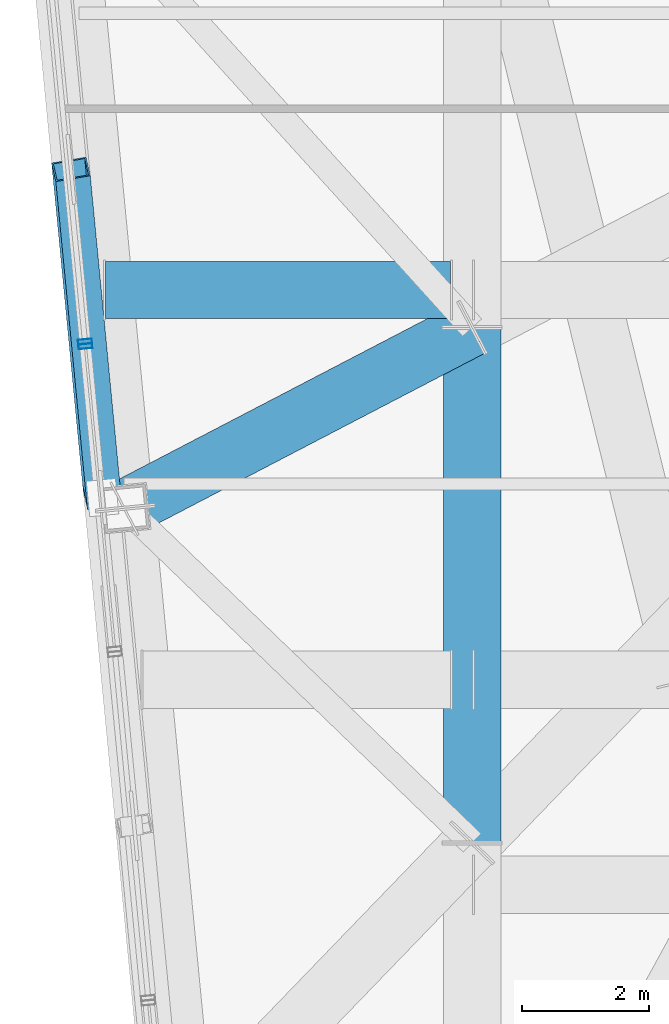
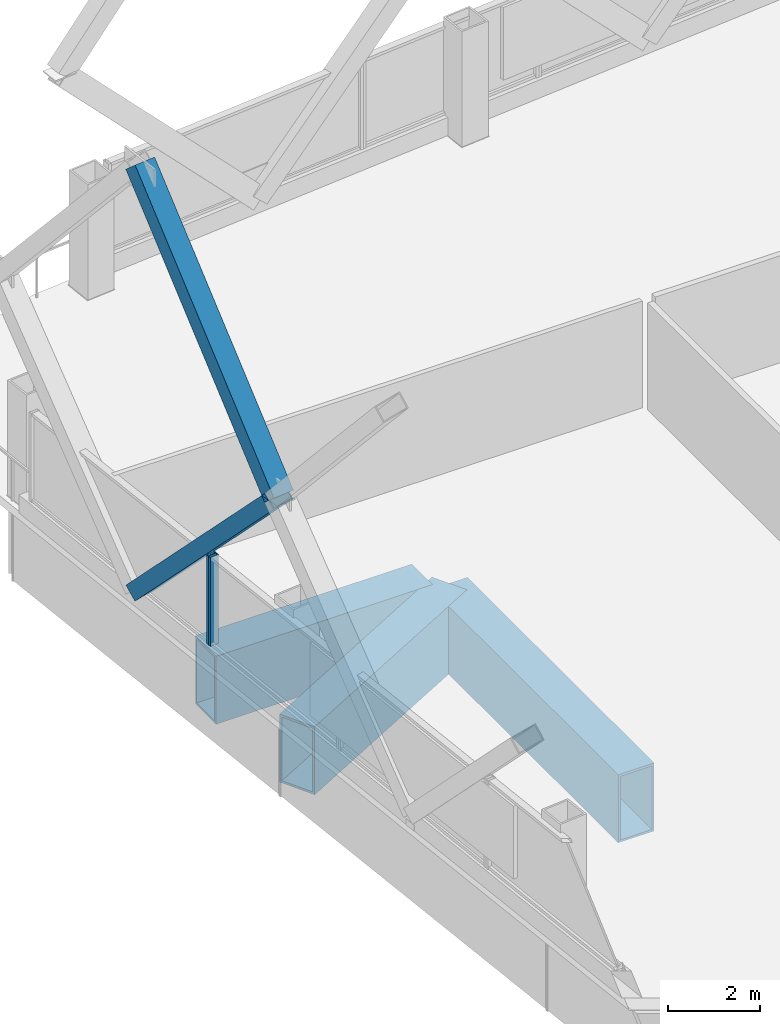
# One storey, part 12 of 37: 4 members, 3 beams, 2 elements without a shape of their own.
"""IFC4 building model written with IfcOpenShell, lengths in metres."""

from ifc_helpers import new_model, si_unit, direction, frame, origin, origin_2d, place, context, subcontext, project, spatial, hollow_rectangle, extrude, material, layer, layer_set, material_profile, profile_set, type_object, element, aggregate, save


model = new_model("IFC4")

# Units and contexts
model_context = context("Model", 3, precision=1e-05, world=origin(), true_north=direction((0.0, 1.0)))
body_context = subcontext(model_context, "Body", "Model", "MODEL_VIEW")
ifc_project = project(units=[si_unit("LENGTHUNIT", "METRE"), si_unit("AREAUNIT", "SQUARE_METRE"), si_unit("VOLUMEUNIT", "CUBIC_METRE"), si_unit("PLANEANGLEUNIT", "RADIAN"), si_unit("MASSUNIT", "GRAM", prefix="KILO")], contexts=[model_context])

# Site, building, storey
site_placement = place(None, origin())
site = spatial("IfcSite", under=ifc_project, at=site_placement, CompositionType="ELEMENT")
building_placement = place(site_placement, origin())
building = spatial("IfcBuilding", under=site, at=building_placement, Name="Qhalaya Broadcast Tower", CompositionType="ELEMENT")
storey_placement = place(building_placement, frame((0.0, 0.0, 156.14990234375)))
storey = spatial("IfcBuildingStorey", under=building, at=storey_placement, Name="L45", CompositionType="ELEMENT", Elevation=156.14990234375)

# Beams
ifc_material_1 = material(Name="Structural Steel ASTM A572 Grade 50", Category="steel")
ifc_material_profile_1 = material_profile(ifc_material_1, hollow_rectangle(XDim=0.89990234375, YDim=1.800048828125, WallThickness=0.06005859375, at=origin_2d()), Name="BOX 900x1800x60")
ifc_profile_set_1 = profile_set([ifc_material_profile_1], Name="Structural Steel ASTM A572 Grade 50")
beam_type = type_object("IfcBeamType", Name="Block Cantilever Transfer Box Girder TG1", PredefinedType="USERDEFINED", material=ifc_profile_set_1)
beam_1_placement = place(storey_placement, frame((-19.1201171875, 9.360107421875, -1.119873046875), z_axis=(0.0, -1.0, 0.0), x_axis=(1.0, 0.0, 0.0)))
element("IfcBeam", 1, at=beam_1_placement, inside=storey, type_object=beam_type, Name="L45 TG1 L45-TGL-14", ObjectType="GIRDER", PredefinedType="USERDEFINED", context=body_context, shape_type="SweptSolid", body=[
    extrude(hollow_rectangle(XDim=0.89990234375, YDim=1.800048828125, WallThickness=0.06005859375, at=origin_2d()), origin(), (0.0, 0.0, 1.0), 8.10009765625),
])
beam_2_placement = place(storey_placement, frame((-19.1201171875, 9.360107421875, -1.119873046875), z_axis=(-0.88697543329, -0.461816609425, 0.0), x_axis=(0.461816609425, -0.88697543329, 0.0)))
element("IfcBeam", 2, at=beam_2_placement, inside=storey, type_object=beam_type, Name="L45 Cantilever Transfer Box Girder 14", ObjectType="GIRDER", PredefinedType="USERDEFINED", context=body_context, shape_type="SweptSolid", body=[
    extrude(hollow_rectangle(XDim=0.89990234375, YDim=1.800048828125, WallThickness=0.06005859375, at=origin_2d()), origin(), (0.0, 0.0, 1.0), 6.147216796875),
])
beam_3_placement = place(storey_placement, frame((-24.882568359375, 9.949951171875, -1.119873046875), z_axis=(1.0, 0.0, 0.0), x_axis=(0.0, 1.0, 0.0)))
element("IfcBeam", 3, at=beam_3_placement, inside=storey, type_object=beam_type, Name="L45 TG1 L45-PGYW4-OV1", ObjectType="GIRDER", PredefinedType="USERDEFINED", context=body_context, shape_type="SweptSolid", body=[
    extrude(hollow_rectangle(XDim=0.89990234375, YDim=1.800048828125, WallThickness=0.06005859375, at=origin_2d()), origin(), (0.0, 0.0, 1.0), 5.422607421875),
])

# Members
ifc_material_profile_2 = material_profile(ifc_material_1, hollow_rectangle(XDim=0.39990234375, YDim=0.550048828125, WallThickness=0.02490234375, at=origin_2d()), Name="BOX 400x550x25")
ifc_profile_set_2 = profile_set([ifc_material_profile_2], Name="Structural Steel ASTM A572 Grade 50")
member_type_1 = type_object("IfcMemberType", Name="Exoskeleton Diamond Diagonal Mid-High EX3", PredefinedType="BRACE", material=ifc_profile_set_2)
member_1_placement = place(storey_placement, frame((-25.427001953125, 11.84716796875, 0.360107421875), z_axis=(0.066504325889, -0.690631901239, 0.720142174594), x_axis=(-0.164113379892, 0.704339295697, 0.690632286443)))
element("IfcMember", 4, at=member_1_placement, inside=storey, type_object=member_type_1, Name="B4 Exoskeleton Diamond Brace W1-D2", PredefinedType="BRACE", context=body_context, shape_type="SweptSolid", body=[
    extrude(hollow_rectangle(XDim=0.39990234375, YDim=0.550048828125, WallThickness=0.02490234375, at=origin_2d()), origin(), (0.0, 0.0, 1.0), 7.470703125),
])
member_2_placement = place(storey_placement, frame((-24.93017578125, 6.687744140625, 5.739990234375), z_axis=(-0.06350423358, 0.659476642868, 0.749037896123), x_axis=(0.166870327526, -0.732969553362, 0.659477010695)))
element("IfcMember", 5, at=member_2_placement, inside=storey, type_object=member_type_1, Name="B4 Exoskeleton Diamond Brace W1-D4", PredefinedType="BRACE", context=body_context, shape_type="SweptSolid", body=[
    extrude(hollow_rectangle(XDim=0.39990234375, YDim=0.550048828125, WallThickness=0.02490234375, at=origin_2d()), origin(), (0.0, 0.0, 1.0), 7.823486328125),
])

# Curtain wall, member
ifc_material_2 = material(Name="Fired Architectural Terracotta", Category="masonry")
ifc_layer_1 = layer(ifc_material_2, 0.219970703125, Name="Fired Architectural Terracotta")
ifc_layer_set_1 = layer_set([ifc_layer_1], Name="Fired Architectural Terracotta")
curtain_wall_type_1 = type_object("IfcCurtainWallType", Name="Block-Cap Unitised Terracotta Spandrel Wall CW-07", PredefinedType="NOTDEFINED", material=ifc_layer_set_1)
curtain_wall_1_placement = place(storey_placement, origin())
curtain_wall_1 = element("IfcCurtainWall", 6, at=curtain_wall_1_placement, inside=storey, type_object=curtain_wall_type_1, Name="L45 Unitised Curtain Wall L45-CW-W1", PredefinedType="NOTDEFINED")
ifc_material_3 = material(Name="Anodised Aluminium 6063-T6", Category="aluminium")
ifc_material_profile_3 = material_profile(ifc_material_3, hollow_rectangle(XDim=0.074951171875, YDim=0.219970703125, WallThickness=0.00390625, at=origin_2d()), Name="ALU-MUL 75x220x4")
ifc_profile_set_3 = profile_set([ifc_material_profile_3], Name="Anodised Aluminium 6063-T6")
member_type_2 = type_object("IfcMemberType", Name="Unitised Curtain-Wall Mullion M01", PredefinedType="MULLION", material=ifc_profile_set_3)
member_3_placement = place(storey_placement, frame((-25.20654296875, 9.140625, 0.47998046875), z_axis=(0.0, 0.0, 1.0), x_axis=(0.095842362816, -0.995396524753, 0.0)))
member_3 = element("IfcMember", 7, at=member_3_placement, type_object=member_type_2, Name="CW-07 mullion 2", PredefinedType="MULLION", context=body_context, shape_type="SweptSolid", body=[
    extrude(hollow_rectangle(XDim=0.074951171875, YDim=0.219970703125, WallThickness=0.00390625, at=origin_2d()), origin(), (0.0, 0.0, 1.0), 2.35009765625),
])
aggregate(curtain_wall_1, [member_3])

ifc_material_4 = material(Name="Solar-Control Low-E Triple Glazing", Category="glass")
ifc_layer_2 = layer(ifc_material_4, 0.219970703125, Name="Solar-Control Low-E Triple Glazing")
ifc_layer_set_2 = layer_set([ifc_layer_2], Name="Solar-Control Low-E Triple Glazing")
curtain_wall_type_2 = type_object("IfcCurtainWallType", Name="Even-Block 4-Storey Double-Module Curtain Wall CW-03", PredefinedType="NOTDEFINED", material=ifc_layer_set_2)
curtain_wall_2_placement = place(storey_placement, origin())
curtain_wall_2 = element("IfcCurtainWall", 8, at=curtain_wall_2_placement, inside=storey, type_object=curtain_wall_type_2, Name="L45 Unitised Curtain Wall L45-CW-W2", PredefinedType="NOTDEFINED")
member_4_placement = place(storey_placement, frame((-25.199462890625, 9.06591796875, 0.47998046875), z_axis=(0.0, 0.0, 1.0), x_axis=(0.095844898762, -0.995396280574, 0.0)))
member_4 = element("IfcMember", 9, at=member_4_placement, type_object=member_type_2, Name="CW-03 mullion 1", PredefinedType="MULLION", context=body_context, shape_type="SweptSolid", body=[
    extrude(hollow_rectangle(XDim=0.074951171875, YDim=0.219970703125, WallThickness=0.00390625, at=origin_2d()), origin(), (0.0, 0.0, 1.0), 2.35009765625),
])
aggregate(curtain_wall_2, [member_4])

save(model, "model.ifc")
